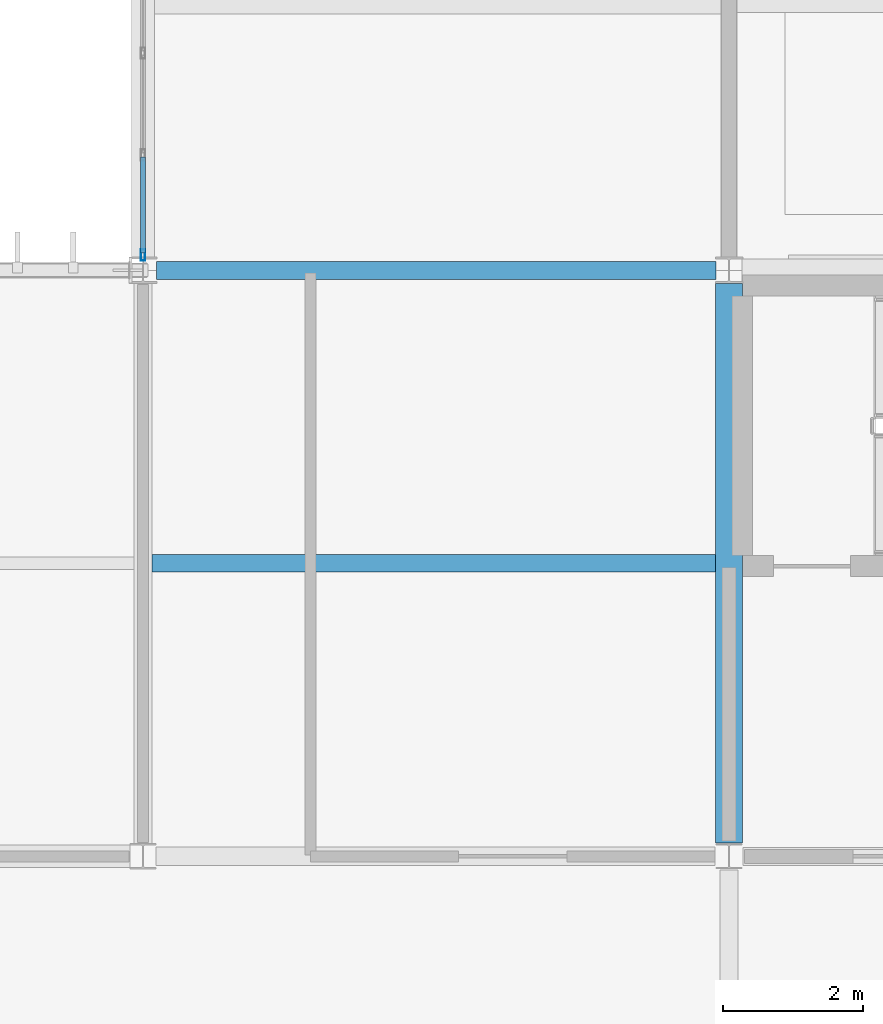
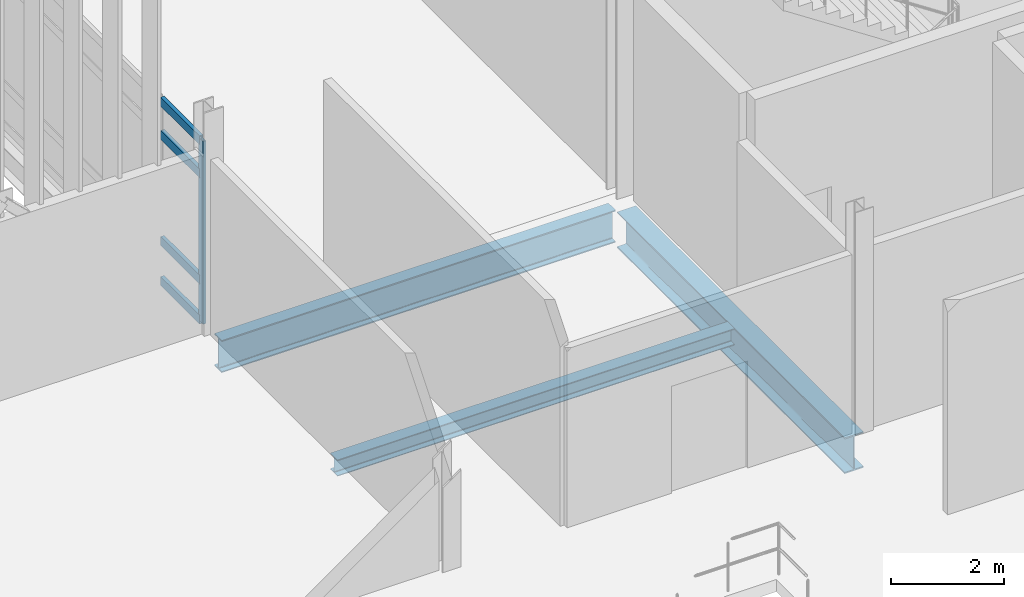
# One storey, part 30 of 153: 5 members, 3 beams, 1 element without a shape of its own.
"""IFC4 building model written with IfcOpenShell, lengths in metres."""

from ifc_helpers import new_model, si_unit, direction, frame, origin, origin_2d, place, context, subcontext, project, spatial, hollow_rectangle, i_section, extrude, material, layer, layer_set, material_profile, profile_set, type_object, element, aggregate, save


model = new_model("IFC4")

# Units and contexts
model_context = context("Model", 3, precision=1e-05, world=origin(), true_north=direction((0.0, 1.0)))
body_context = subcontext(model_context, "Body", "Model", "MODEL_VIEW")
ifc_project = project(units=[si_unit("LENGTHUNIT", "METRE"), si_unit("AREAUNIT", "SQUARE_METRE"), si_unit("VOLUMEUNIT", "CUBIC_METRE"), si_unit("PLANEANGLEUNIT", "RADIAN"), si_unit("MASSUNIT", "GRAM", prefix="KILO")], contexts=[model_context])

# Site, building, storey
site_placement = place(None, origin())
site = spatial("IfcSite", under=ifc_project, at=site_placement, CompositionType="ELEMENT")
building_placement = place(site_placement, origin())
building = spatial("IfcBuilding", under=site, at=building_placement, Name="Calvrana Isthmian Art Gallery", CompositionType="ELEMENT")
storey_placement = place(building_placement, frame((0.0, 0.0, 10.199951171875)))
storey = spatial("IfcBuildingStorey", under=building, at=storey_placement, Name="L02", CompositionType="ELEMENT", Elevation=10.199951171875)

# Beams
ifc_material_1 = material(Name="Steel ASTM A992 Gr 50", Category="steel")
ifc_material_profile_1 = material_profile(ifc_material_1, i_section(OverallWidth=0.257080078125, OverallDepth=0.693115234375, WebThickness=0.014404296875, FlangeThickness=0.023681640625, FilletRadius=0.02392578125, at=origin_2d()), Name="W27X114")
ifc_profile_set_1 = profile_set([ifc_material_profile_1], Name="Steel ASTM A992 Gr 50")
beam_type_1 = type_object("IfcBeamType", Name="BM-G-W27X114", PredefinedType="BEAM", material=ifc_profile_set_1)
beam_1_placement = place(storey_placement, frame((55.39697265625, 46.800048828125, -0.611572265625), z_axis=(1.0, 0.0, 0.0), x_axis=(0.0, 1.0, 0.0)))
element("IfcBeam", 1, at=beam_1_placement, inside=storey, type_object=beam_type_1, Name="Girder X L02 08-09/G", PredefinedType="BEAM", context=body_context, shape_type="SweptSolid", body=[
    extrude(i_section(OverallWidth=0.257080078125, OverallDepth=0.693115234375, WebThickness=0.014404296875, FlangeThickness=0.023681640625, FilletRadius=0.02392578125, at=origin_2d()), origin(), (0.0, 0.0, 1.0), 8.0166015625),
])
ifc_material_profile_2 = material_profile(ifc_material_1, i_section(OverallWidth=0.381103515625, OverallDepth=0.77197265625, WebThickness=0.0166015625, FlangeThickness=0.027099609375, FilletRadius=0.02490234375, at=origin_2d()), Name="W30X173")
ifc_profile_set_2 = profile_set([ifc_material_profile_2], Name="Steel ASTM A992 Gr 50")
beam_type_2 = type_object("IfcBeamType", Name="BM-G-W30X173", PredefinedType="BEAM", material=ifc_profile_set_2)
beam_2_placement = place(storey_placement, frame((63.60009765625, 38.593017578125, -0.65087890625), z_axis=(0.0, 1.0, 0.0), x_axis=(-1.0, 0.0, 0.0)))
element("IfcBeam", 2, at=beam_2_placement, inside=storey, type_object=beam_type_2, Name="Girder Y L02 09/F-G", PredefinedType="BEAM", context=body_context, shape_type="SweptSolid", body=[
    extrude(i_section(OverallWidth=0.381103515625, OverallDepth=0.77197265625, WebThickness=0.0166015625, FlangeThickness=0.027099609375, FilletRadius=0.02490234375, at=origin_2d()), origin(), (0.0, 0.0, 1.0), 8.0205078125),
])
ifc_material_profile_3 = material_profile(ifc_material_1, i_section(OverallWidth=0.25390625, OverallDepth=0.35302734375, WebThickness=0.009521484375, FlangeThickness=0.016357421875, FilletRadius=0.01806640625, at=origin_2d()), Name="W14X61")
ifc_profile_set_3 = profile_set([ifc_material_profile_3], Name="Steel ASTM A992 Gr 50")
beam_type_3 = type_object("IfcBeamType", Name="BM-J-W14X61", PredefinedType="JOIST", material=ifc_profile_set_3)
beam_3_placement = place(storey_placement, frame((55.32861328125, 42.60009765625, -0.44140625), z_axis=(1.0, 0.0, 0.0), x_axis=(0.0, 1.0, 0.0)))
element("IfcBeam", 3, at=beam_3_placement, inside=storey, type_object=beam_type_3, Name="Composite joist L02 bay 07-05", PredefinedType="JOIST", context=body_context, shape_type="SweptSolid", body=[
    extrude(i_section(OverallWidth=0.25390625, OverallDepth=0.35302734375, WebThickness=0.009521484375, FlangeThickness=0.016357421875, FilletRadius=0.01806640625, at=origin_2d()), origin(), (0.0, 0.0, 1.0), 8.080810546875),
])

# Curtain wall, members
ifc_material_2 = material(Name="Anodized bronze aluminium 6063-T6", Category="aluminium")
ifc_layer = layer(ifc_material_2, 0.179931640625, Name="Anodized bronze aluminium 6063-T6")
ifc_layer_set = layer_set([ifc_layer], Name="Anodized bronze aluminium 6063-T6")
curtain_wall_type = type_object("IfcCurtainWallType", Name="CW-UNIT-073X39", PredefinedType="USERDEFINED", material=ifc_layer_set)
curtain_wall_placement = place(storey_placement, origin())
curtain_wall = element("IfcCurtainWall", 4, at=curtain_wall_placement, inside=storey, type_object=curtain_wall_type, Name="Curtain wall CW-169", ObjectType="UNITISED CURTAIN WALL", PredefinedType="USERDEFINED")
ifc_material_profile_4 = material_profile(ifc_material_2, hollow_rectangle(XDim=0.06005859375, YDim=0.159912109375, WallThickness=0.00390625, at=origin_2d()), Name="CWM60X160")
ifc_profile_set_4 = profile_set([ifc_material_profile_4], Name="Anodized bronze aluminium 6063-T6")
member_type_1 = type_object("IfcMemberType", Name="CWM-CWM60X160", PredefinedType="MULLION", material=ifc_profile_set_4)
member_1_placement = place(storey_placement, frame((55.199951171875, 47.0205078125, 0.0), z_axis=(0.0, 0.0, 1.0), x_axis=(-1.0, 0.0, 0.0)))
member_1 = element("IfcMember", 5, at=member_1_placement, type_object=member_type_1, Name="CW-169 mullion 1", PredefinedType="MULLION", context=body_context, shape_type="SweptSolid", body=[
    extrude(hollow_rectangle(XDim=0.06005859375, YDim=0.159912109375, WallThickness=0.00390625, at=origin_2d()), origin(), (0.0, 0.0, 1.0), 3.93310546875),
])
ifc_material_profile_5 = material_profile(ifc_material_2, hollow_rectangle(XDim=0.074951171875, YDim=0.18994140625, WallThickness=0.00439453125, at=origin_2d()), Name="CWT75X190")
ifc_profile_set_5 = profile_set([ifc_material_profile_5], Name="Anodized bronze aluminium 6063-T6")
member_type_2 = type_object("IfcMemberType", Name="CWT-CWT75X190", PredefinedType="USERDEFINED", material=ifc_profile_set_5)
member_2_placement = place(storey_placement, frame((55.199951171875, 47.050537109375, 0.03759765625), z_axis=(0.0, 1.0, 0.0), x_axis=(-1.0, 0.0, 0.0)))
member_2 = element("IfcMember", 6, at=member_2_placement, type_object=member_type_2, Name="CW-169 transom 1.1", ObjectType="TRANSOM", PredefinedType="USERDEFINED", context=body_context, shape_type="SweptSolid", body=[
    extrude(hollow_rectangle(XDim=0.074951171875, YDim=0.18994140625, WallThickness=0.00439453125, at=origin_2d()), origin(), (0.0, 0.0, 1.0), 1.37158203125),
])
member_3_placement = place(storey_placement, frame((55.199951171875, 47.050537109375, 0.900146484375), z_axis=(0.0, 1.0, 0.0), x_axis=(-1.0, 0.0, 0.0)))
member_3 = element("IfcMember", 7, at=member_3_placement, type_object=member_type_2, Name="CW-169 transom 1.2", ObjectType="TRANSOM", PredefinedType="USERDEFINED", context=body_context, shape_type="SweptSolid", body=[
    extrude(hollow_rectangle(XDim=0.074951171875, YDim=0.18994140625, WallThickness=0.00439453125, at=origin_2d()), origin(), (0.0, 0.0, 1.0), 1.37158203125),
])
member_4_placement = place(storey_placement, frame((55.199951171875, 47.050537109375, 3.18310546875), z_axis=(0.0, 1.0, 0.0), x_axis=(-1.0, 0.0, 0.0)))
member_4 = element("IfcMember", 8, at=member_4_placement, type_object=member_type_2, Name="CW-169 transom 1.3", ObjectType="TRANSOM", PredefinedType="USERDEFINED", context=body_context, shape_type="SweptSolid", body=[
    extrude(hollow_rectangle(XDim=0.074951171875, YDim=0.18994140625, WallThickness=0.00439453125, at=origin_2d()), origin(), (0.0, 0.0, 1.0), 1.37158203125),
])
member_5_placement = place(storey_placement, frame((55.199951171875, 47.050537109375, 3.8955078125), z_axis=(0.0, 1.0, 0.0), x_axis=(-1.0, 0.0, 0.0)))
member_5 = element("IfcMember", 9, at=member_5_placement, type_object=member_type_2, Name="CW-169 transom 1.4", ObjectType="TRANSOM", PredefinedType="USERDEFINED", context=body_context, shape_type="SweptSolid", body=[
    extrude(hollow_rectangle(XDim=0.074951171875, YDim=0.18994140625, WallThickness=0.00439453125, at=origin_2d()), origin(), (0.0, 0.0, 1.0), 1.37158203125),
])
aggregate(curtain_wall, [member_1, member_2, member_3, member_4, member_5])

save(model, "model.ifc")
